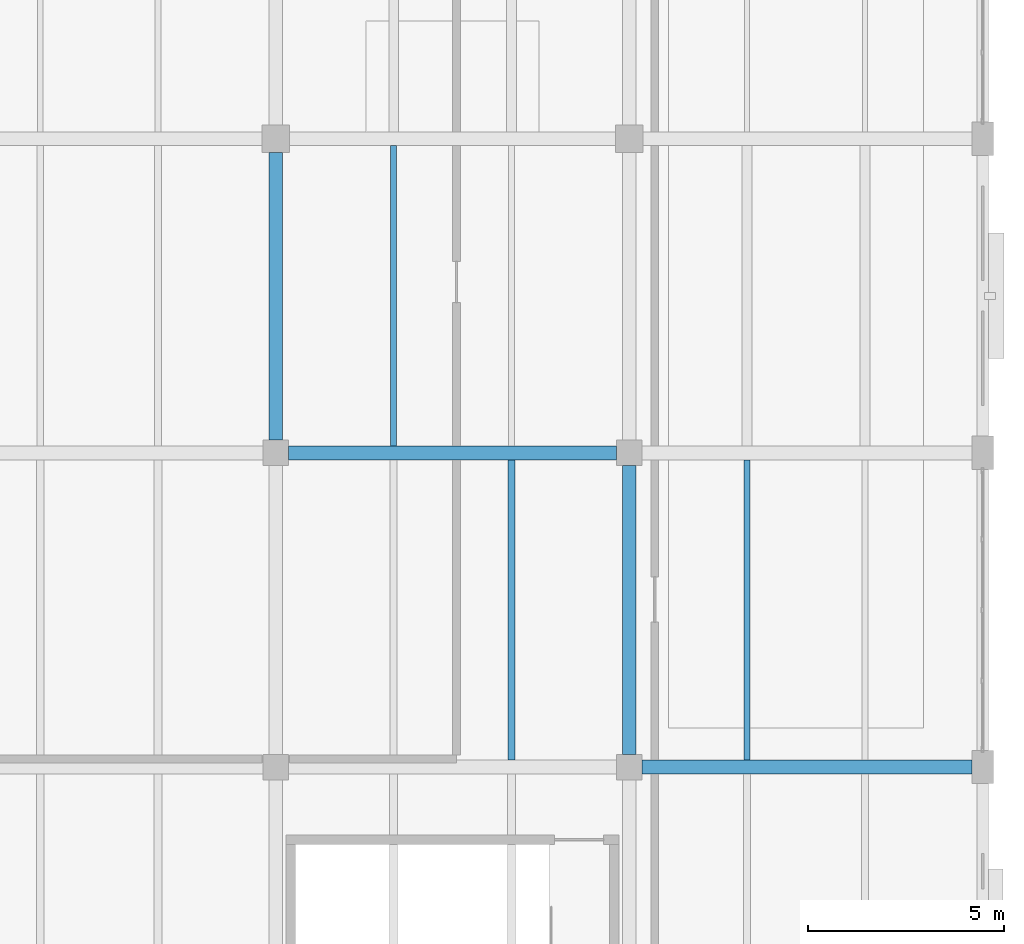
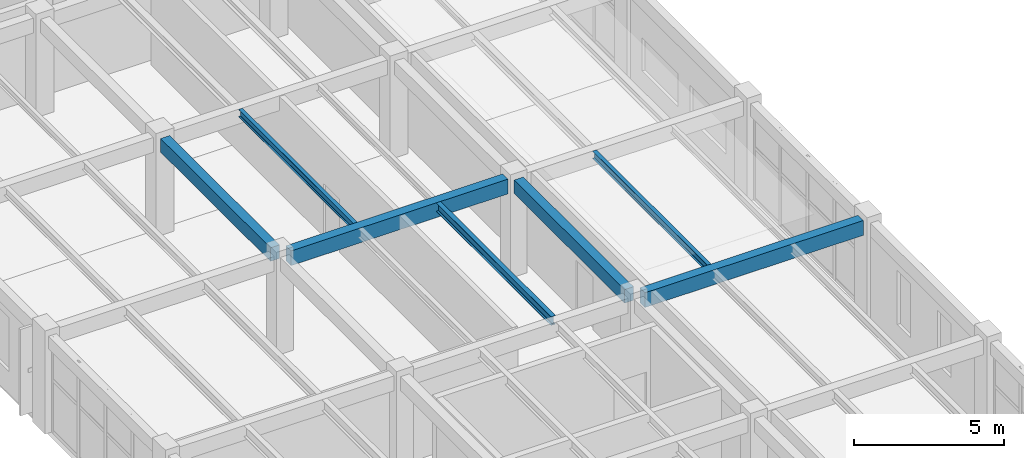
# One storey, part 25 of 71: 7 beams.
"""IFC4 building model written with IfcOpenShell, lengths in metres."""

from ifc_helpers import new_model, si_unit, derived_unit, direction, frame, origin, origin_2d, place, context, subcontext, project, spatial, rectangle, i_section, extrude, material, material_profile, profile_set, type_object, element, save


model = new_model("IFC4")

# Units and contexts
model_context = context("Model", 3, precision=1e-05, world=origin(), true_north=direction((0.0, 1.0)))
body_context = subcontext(model_context, "Body", "Model", "MODEL_VIEW")
ifc_project = project(units=[si_unit("LENGTHUNIT", "METRE"), si_unit("AREAUNIT", "SQUARE_METRE"), si_unit("VOLUMEUNIT", "CUBIC_METRE"), si_unit("PLANEANGLEUNIT", "RADIAN"), si_unit("MASSUNIT", "GRAM", prefix="KILO"), derived_unit("THERMALTRANSMITTANCEUNIT", [(si_unit("MASSUNIT", "GRAM", prefix="KILO"), 1), (si_unit("TIMEUNIT", "SECOND"), -3), (si_unit("THERMODYNAMICTEMPERATUREUNIT", "KELVIN"), -1)])], contexts=[model_context])

# Site, building, storey
site_placement = place(None, origin())
site = spatial("IfcSite", under=ifc_project, at=site_placement, CompositionType="ELEMENT")
building_placement = place(site_placement, origin())
building = spatial("IfcBuilding", under=site, at=building_placement, Name="Zhenchuan Archway Interchange", CompositionType="ELEMENT")
storey_placement = place(building_placement, frame((0.0, 0.0, 18.60009765625)))
storey = spatial("IfcBuildingStorey", under=building, at=storey_placement, Name="L04", CompositionType="ELEMENT", Elevation=18.60009765625)

# Beams
ifc_material_1 = material(Name="Concrete C40", Category="concrete")
ifc_material_profile_1 = material_profile(ifc_material_1, rectangle(XDim=0.35009765625, YDim=0.550048828125, at=origin_2d()), Name="RC 350x550")
ifc_profile_set_1 = profile_set([ifc_material_profile_1], Name="Concrete C40")
beam_type_1 = type_object("IfcBeamType", Name="BM_RC_350x550", PredefinedType="BEAM", material=ifc_profile_set_1)
beam_1_placement = place(storey_placement, frame((153.0, 32.324951171875, 3.664794921875), z_axis=(0.0, 1.0, 0.0), x_axis=(-1.0, 0.0, 0.0)))
element("IfcBeam", 1, at=beam_1_placement, inside=storey, type_object=beam_type_1, Name="Beam 18:E-F (L04)", PredefinedType="BEAM", context=body_context, shape_type="SweptSolid", body=[
    extrude(rectangle(XDim=0.35009765625, YDim=0.550048828125, at=origin_2d()), origin(), (0.0, 0.0, 1.0), 7.324951171875),
])
beam_2_placement = place(storey_placement, frame((162.0, 24.324951171875, 3.664794921875), z_axis=(0.0, 1.0, 0.0), x_axis=(-1.0, 0.0, 0.0)))
element("IfcBeam", 2, at=beam_2_placement, inside=storey, type_object=beam_type_1, Name="Beam 19:D-E (L04)", PredefinedType="BEAM", context=body_context, shape_type="SweptSolid", body=[
    extrude(rectangle(XDim=0.35009765625, YDim=0.550048828125, at=origin_2d()), origin(), (0.0, 0.0, 1.0), 7.35009765625),
])
ifc_material_profile_2 = material_profile(ifc_material_1, rectangle(XDim=0.35009765625, YDim=0.60009765625, at=origin_2d()), Name="RC 350x600")
ifc_profile_set_2 = profile_set([ifc_material_profile_2], Name="Concrete C40")
beam_type_2 = type_object("IfcBeamType", Name="BM_RC_350x600", PredefinedType="BEAM", material=ifc_profile_set_2)
beam_3_placement = place(storey_placement, frame((162.324951171875, 24.0, 3.639892578125), z_axis=(1.0, 0.0, 0.0), x_axis=(0.0, 1.0, 0.0)))
element("IfcBeam", 3, at=beam_3_placement, inside=storey, type_object=beam_type_2, Name="Beam D:19-20 (L04)", PredefinedType="BEAM", context=body_context, shape_type="SweptSolid", body=[
    extrude(rectangle(XDim=0.35009765625, YDim=0.60009765625, at=origin_2d()), origin(), (0.0, 0.0, 1.0), 8.400146484375),
])
beam_4_placement = place(storey_placement, frame((153.324951171875, 32.0, 3.639892578125), z_axis=(1.0, 0.0, 0.0), x_axis=(0.0, 1.0, 0.0)))
element("IfcBeam", 4, at=beam_4_placement, inside=storey, type_object=beam_type_2, Name="Beam E:18-19 (L04)", PredefinedType="BEAM", context=body_context, shape_type="SweptSolid", body=[
    extrude(rectangle(XDim=0.35009765625, YDim=0.60009765625, at=origin_2d()), origin(), (0.0, 0.0, 1.0), 8.35009765625),
])
ifc_material_2 = material(Name="Steel Q355", Category="steel")
ifc_material_profile_3 = material_profile(ifc_material_2, i_section(OverallWidth=0.14990234375, OverallDepth=0.300048828125, WebThickness=0.006591796875, FlangeThickness=0.009033203125, FilletRadius=0.012939453125, at=origin_2d()), Name="HN 300x150")
ifc_profile_set_3 = profile_set([ifc_material_profile_3], Name="Steel Q355")
beam_type_3 = type_object("IfcBeamType", Name="JST_STL_HN300", PredefinedType="JOIST", material=ifc_profile_set_3)
for number, where, z_axis, x_axis, name in (
    (5, (156.0, 32.175048828125, 3.789794921875), (0.0, 1.0, 0.0), (-1.0, 0.0, 0.0), "Secondary joist 18-19/E-F #1 (L04)"),
    (6, (165.0, 24.175048828125, 3.789794921875), (0.0, 1.0, 0.0), (-1.0, 0.0, 0.0), "Secondary joist 19-20/D-E #1 (L04)"),
):
    element("IfcBeam", number, at=place(storey_placement, frame(where, z_axis=z_axis, x_axis=x_axis)), inside=storey, type_object=beam_type_3, Name=name, PredefinedType="JOIST", context=body_context, shape_type="SweptSolid", body=[
        extrude(i_section(OverallWidth=0.14990234375, OverallDepth=0.300048828125, WebThickness=0.006591796875, FlangeThickness=0.009033203125, FilletRadius=0.012939453125, at=origin_2d()), origin(), (0.0, 0.0, 1.0), 7.64990234375),
    ])
ifc_material_profile_4 = material_profile(ifc_material_2, i_section(OverallWidth=0.175048828125, OverallDepth=0.35009765625, WebThickness=0.007080078125, FlangeThickness=0.010986328125, FilletRadius=0.013916015625, at=origin_2d()), Name="HN 350x175")
ifc_profile_set_4 = profile_set([ifc_material_profile_4], Name="Steel Q355")
beam_type_4 = type_object("IfcBeamType", Name="JST_STL_HN350", PredefinedType="JOIST", material=ifc_profile_set_4)
beam_5_placement = place(storey_placement, frame((159.0, 24.175048828125, 3.764892578125), z_axis=(0.0, 1.0, 0.0), x_axis=(-1.0, 0.0, 0.0)))
element("IfcBeam", 7, at=beam_5_placement, inside=storey, type_object=beam_type_4, Name="Secondary joist 18-19/D-E #2 (L04)", PredefinedType="JOIST", context=body_context, shape_type="SweptSolid", body=[
    extrude(i_section(OverallWidth=0.175048828125, OverallDepth=0.35009765625, WebThickness=0.007080078125, FlangeThickness=0.010986328125, FilletRadius=0.013916015625, at=origin_2d()), origin(), (0.0, 0.0, 1.0), 7.64990234375),
])

save(model, "model.ifc")
